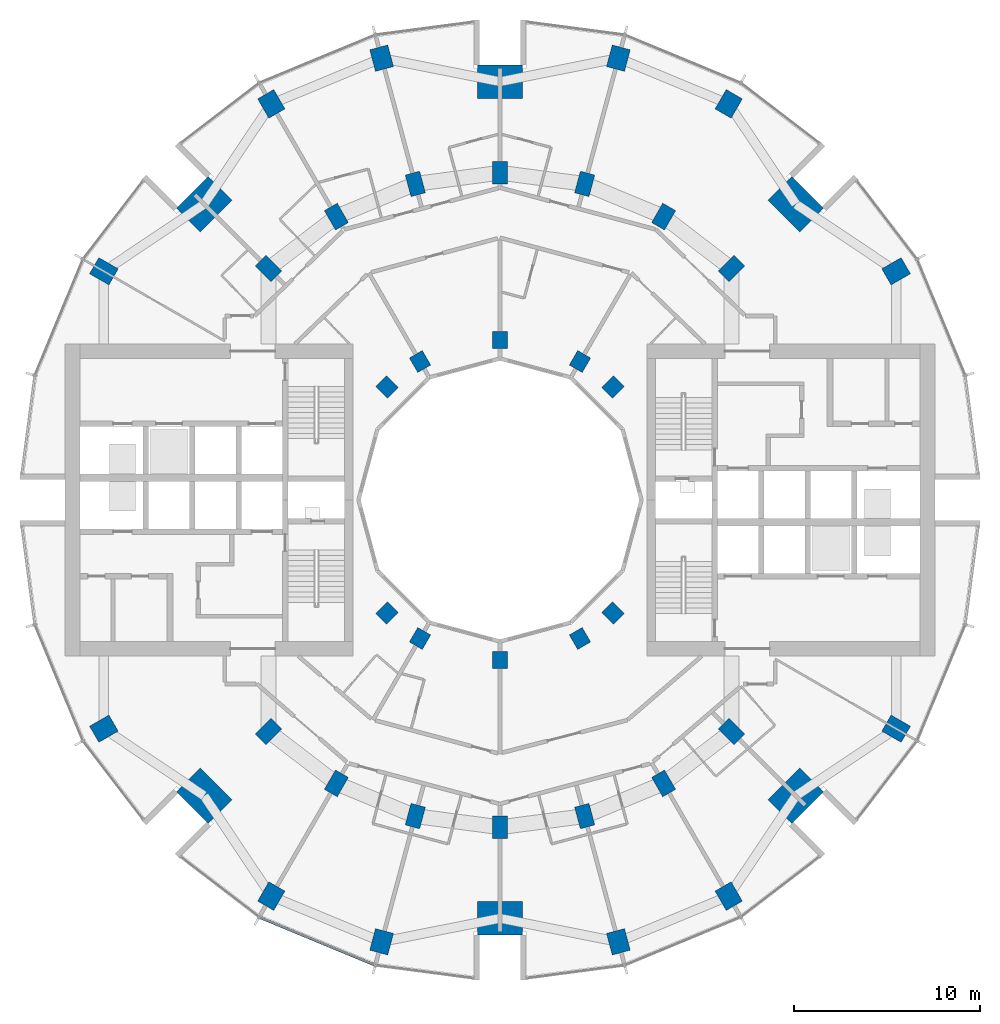
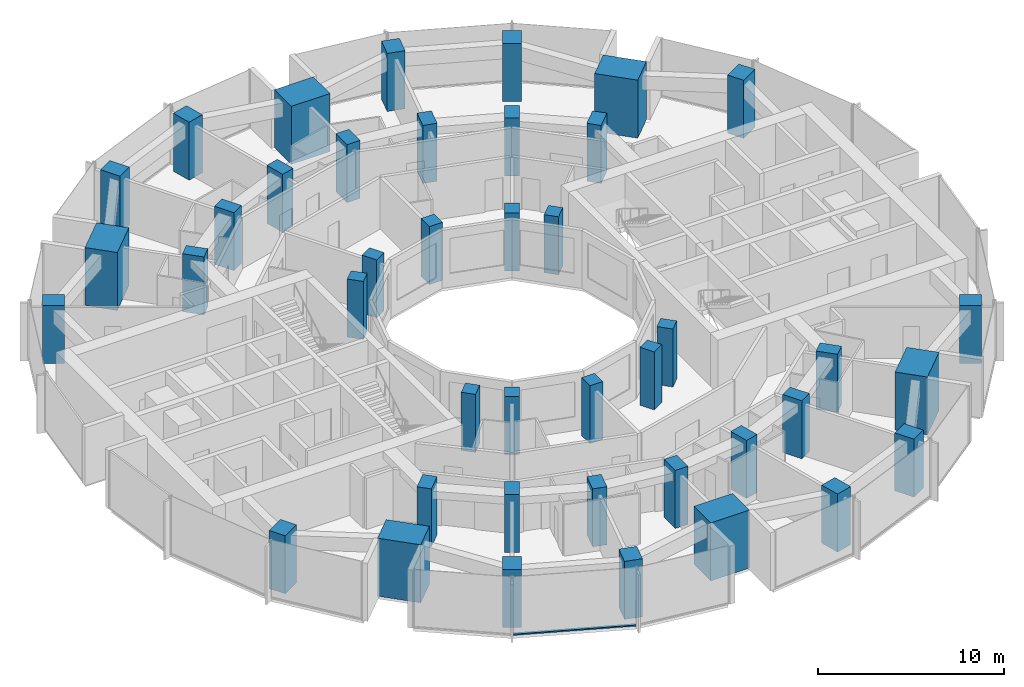
# One storey, part 1 of 15: 42 columns, 1 member, 1 element without a shape of its own.
"""IFC4 building model written with IfcOpenShell, lengths in metres."""

from ifc_helpers import new_model, si_unit, direction, frame, origin, origin_2d, place, context, subcontext, project, spatial, rectangle, extrude, material, layer, layer_set, material_profile, profile_set, type_object, element, aggregate, save


model = new_model("IFC4")

# Units and contexts
model_context = context("Model", 3, precision=1e-05, world=origin(), true_north=direction((0.0, 1.0)))
body_context = subcontext(model_context, "Body", "Model", "MODEL_VIEW")
ifc_project = project(units=[si_unit("LENGTHUNIT", "METRE"), si_unit("AREAUNIT", "SQUARE_METRE"), si_unit("VOLUMEUNIT", "CUBIC_METRE"), si_unit("PLANEANGLEUNIT", "RADIAN"), si_unit("MASSUNIT", "GRAM", prefix="KILO")], contexts=[model_context])

# Site, building, storey
site_placement = place(None, origin())
site = spatial("IfcSite", under=ifc_project, at=site_placement, CompositionType="ELEMENT")
building_placement = place(site_placement, origin())
building = spatial("IfcBuilding", under=site, at=building_placement, Name="Torre Brocal", CompositionType="ELEMENT")
storey_placement = place(building_placement, frame((0.0, 0.0, 63.0)))
storey = spatial("IfcBuildingStorey", under=building, at=storey_placement, Name="L14", CompositionType="ELEMENT", Elevation=63.0)

# Columns
ifc_material_1 = material(Name="Concrete C80", Category="concrete")
ifc_material_profile_1 = material_profile(ifc_material_1, rectangle(XDim=1.199951171875, YDim=1.0, at=origin_2d()), Name="RC 1200X1000")
ifc_profile_set_1 = profile_set([ifc_material_profile_1], Name="Concrete C80")
column_type_1 = type_object("IfcColumnType", Name="RC COLUMN 1200X1000 C80", PredefinedType="COLUMN", material=ifc_profile_set_1)
for number, where, z_axis, x_axis, name in (
    (1, (101.30419921875, 87.300048828125, 0.0), (0.0, 0.0, 1.0), (0.866025403784, 0.5, 0.0), "Column C-O02"),
    (2, (92.300048828125, 96.30419921875, 0.0), (0.0, 0.0, 1.0), (0.5, 0.866025403784, 0.0), "Column C-O04"),
    (3, (86.366943359375, 98.76171875, 0.0), (0.0, 0.0, 1.0), (0.258819045103, 0.965925826289, 0.0), "Column C-O05"),
    (4, (73.633056640625, 98.76171875, 0.0), (0.0, 0.0, 1.0), (-0.258819045103, 0.965925826289, 0.0), "Column C-O07"),
    (5, (67.699951171875, 96.30419921875, 0.0), (0.0, 0.0, 1.0), (-0.5, 0.866025403784, 0.0), "Column C-O08"),
    (6, (58.69580078125, 87.300048828125, 0.0), (0.0, 0.0, 1.0), (-0.866025403784, 0.5, 0.0), "Column C-O10"),
    (7, (58.69580078125, 62.699951171875, 0.0), (0.0, 0.0, 1.0), (-0.866025403784, -0.5, 0.0), "Column C-O14"),
    (8, (67.699951171875, 53.69580078125, 0.0), (0.0, 0.0, 1.0), (-0.5, -0.866025403784, 0.0), "Column C-O16"),
    (9, (73.633056640625, 51.23828125, 0.0), (0.0, 0.0, 1.0), (-0.258819045103, -0.965925826289, 0.0), "Column C-O17"),
    (10, (86.366943359375, 51.23828125, 0.0), (0.0, 0.0, 1.0), (0.258819045103, -0.965925826289, 0.0), "Column C-O19"),
    (11, (92.300048828125, 53.69580078125, 0.0), (0.0, 0.0, 1.0), (0.5, -0.866025403784, 0.0), "Column C-O20"),
    (12, (101.30419921875, 62.699951171875, 0.0), (0.0, 0.0, 1.0), (0.866025403784, -0.5, 0.0), "Column C-O22"),
):
    element("IfcColumn", number, at=place(storey_placement, frame(where, z_axis=z_axis, x_axis=x_axis)), inside=storey, type_object=column_type_1, Name=name, PredefinedType="COLUMN", context=body_context, shape_type="SweptSolid", body=[
        extrude(rectangle(XDim=1.199951171875, YDim=1.0, at=origin_2d()), origin(), (0.0, 0.0, 1.0), 3.800048828125),
    ])
ifc_material_2 = material(Name="Concrete C80", Category="concrete")
ifc_material_profile_2 = material_profile(ifc_material_2, rectangle(XDim=1.199951171875, YDim=0.800048828125, at=origin_2d()), Name="RC 1200X800")
ifc_profile_set_2 = profile_set([ifc_material_profile_2], Name="Concrete C80")
column_type_2 = type_object("IfcColumnType", Name="RC COLUMN 1200X800 C80", PredefinedType="COLUMN", material=ifc_profile_set_2)
for number, where, z_axis, x_axis, name in (
    (13, (92.445068359375, 87.445068359375, 0.0), (0.0, 0.0, 1.0), (0.707106781187, 0.707106781187, 0.0), "Column C-M03"),
    (14, (88.800048828125, 90.241943359375, 0.0), (0.0, 0.0, 1.0), (0.5, 0.866025403784, 0.0), "Column C-M04"),
    (15, (84.55517578125, 92.000244140625, 0.0), (0.0, 0.0, 1.0), (0.258819045103, 0.965925826289, 0.0), "Column C-M05"),
    (16, (80.0, 92.60009765625, 0.0), (0.0, 0.0, 1.0), (0.0, 1.0, 0.0), "Column C-M06"),
    (17, (75.44482421875, 92.000244140625, 0.0), (0.0, 0.0, 1.0), (-0.258819045103, 0.965925826289, 0.0), "Column C-M07"),
    (18, (71.199951171875, 90.241943359375, 0.0), (0.0, 0.0, 1.0), (-0.5, 0.866025403784, 0.0), "Column C-M08"),
    (19, (67.554931640625, 87.445068359375, 0.0), (0.0, 0.0, 1.0), (-0.707106781187, 0.707106781187, 0.0), "Column C-M09"),
    (20, (67.554931640625, 62.554931640625, 0.0), (0.0, 0.0, 1.0), (-0.707106781187, -0.707106781187, 0.0), "Column C-M15"),
    (21, (71.199951171875, 59.758056640625, 0.0), (0.0, 0.0, 1.0), (-0.5, -0.866025403784, 0.0), "Column C-M16"),
    (22, (75.44482421875, 57.999755859375, 0.0), (0.0, 0.0, 1.0), (-0.258819045103, -0.965925826289, 0.0), "Column C-M17"),
    (23, (80.0, 57.39990234375, 0.0), (0.0, 0.0, 1.0), (0.0, -1.0, 0.0), "Column C-M18"),
    (24, (84.55517578125, 57.999755859375, 0.0), (0.0, 0.0, 1.0), (0.258819045103, -0.965925826289, 0.0), "Column C-M19"),
    (25, (88.800048828125, 59.758056640625, 0.0), (0.0, 0.0, 1.0), (0.5, -0.866025403784, 0.0), "Column C-M20"),
    (26, (92.445068359375, 62.554931640625, 0.0), (0.0, 0.0, 1.0), (0.707106781187, -0.707106781187, 0.0), "Column C-M21"),
):
    element("IfcColumn", number, at=place(storey_placement, frame(where, z_axis=z_axis, x_axis=x_axis)), inside=storey, type_object=column_type_2, Name=name, PredefinedType="COLUMN", context=body_context, shape_type="SweptSolid", body=[
        extrude(rectangle(XDim=1.199951171875, YDim=0.800048828125, at=origin_2d()), origin(), (0.0, 0.0, 1.0), 3.800048828125),
    ])
ifc_material_3 = material(Name="Concrete C80", Category="concrete")
ifc_material_profile_3 = material_profile(ifc_material_3, rectangle(XDim=1.800048828125, YDim=2.39990234375, at=origin_2d()), Name="RC 1800X2400")
ifc_profile_set_3 = profile_set([ifc_material_profile_3], Name="Concrete C80")
column_type_3 = type_object("IfcColumnType", Name="RC COLUMN 1800X2400 C80", PredefinedType="COLUMN", material=ifc_profile_set_3)
for number, where, z_axis, x_axis, name in (
    (27, (95.909912109375, 90.909912109375, 0.0), (0.0, 0.0, 1.0), (0.707106781187, 0.707106781187, 0.0), "Column MC-1"),
    (28, (80.0, 97.5, 0.0), (0.0, 0.0, 1.0), (0.0, 1.0, 0.0), "Column MC-2"),
    (29, (64.090087890625, 90.909912109375, 0.0), (0.0, 0.0, 1.0), (-0.707106781187, 0.707106781187, 0.0), "Column MC-3"),
    (30, (64.090087890625, 59.090087890625, 0.0), (0.0, 0.0, 1.0), (-0.707106781187, -0.707106781187, 0.0), "Column MC-5"),
    (31, (80.0, 52.5, 0.0), (0.0, 0.0, 1.0), (0.0, -1.0, 0.0), "Column MC-6"),
    (32, (95.909912109375, 59.090087890625, 0.0), (0.0, 0.0, 1.0), (0.707106781187, -0.707106781187, 0.0), "Column MC-7"),
):
    element("IfcColumn", number, at=place(storey_placement, frame(where, z_axis=z_axis, x_axis=x_axis)), inside=storey, type_object=column_type_3, Name=name, PredefinedType="COLUMN", context=body_context, shape_type="SweptSolid", body=[
        extrude(rectangle(XDim=1.800048828125, YDim=2.39990234375, at=origin_2d()), origin(), (0.0, 0.0, 1.0), 3.800048828125),
    ])
ifc_material_4 = material(Name="Concrete C80", Category="concrete")
ifc_material_profile_4 = material_profile(ifc_material_4, rectangle(XDim=0.89990234375, YDim=0.800048828125, at=origin_2d()), Name="RC 900X800")
ifc_profile_set_4 = profile_set([ifc_material_profile_4], Name="Concrete C80")
column_type_4 = type_object("IfcColumnType", Name="RC COLUMN 900X800 C80", PredefinedType="COLUMN", material=ifc_profile_set_4)
for number, where, z_axis, x_axis, name in (
    (33, (86.0810546875, 81.0810546875, 0.0), (0.0, 0.0, 1.0), (0.707106781187, 0.707106781187, 0.0), "Column C-I03"),
    (34, (84.300048828125, 82.44775390625, 0.0), (0.0, 0.0, 1.0), (0.5, 0.866025403784, 0.0), "Column C-I04"),
    (35, (80.0, 83.60009765625, 0.0), (0.0, 0.0, 1.0), (0.0, 1.0, 0.0), "Column C-I06"),
    (36, (75.699951171875, 82.44775390625, 0.0), (0.0, 0.0, 1.0), (-0.5, 0.866025403784, 0.0), "Column C-I08"),
    (37, (73.9189453125, 81.0810546875, 0.0), (0.0, 0.0, 1.0), (-0.707106781187, 0.707106781187, 0.0), "Column C-I09"),
    (38, (73.9189453125, 68.9189453125, 0.0), (0.0, 0.0, 1.0), (-0.707106781187, -0.707106781187, 0.0), "Column C-I15"),
    (39, (75.699951171875, 67.55224609375, 0.0), (0.0, 0.0, 1.0), (-0.5, -0.866025403784, 0.0), "Column C-I16"),
    (40, (80.0, 66.39990234375, 0.0), (0.0, 0.0, 1.0), (0.0, -1.0, 0.0), "Column C-I18"),
    (41, (84.300048828125, 67.55224609375, 0.0), (0.0, 0.0, 1.0), (0.5, -0.866025403784, 0.0), "Column C-I20"),
    (42, (86.0810546875, 68.9189453125, 0.0), (0.0, 0.0, 1.0), (0.707106781187, -0.707106781187, 0.0), "Column C-I21"),
):
    element("IfcColumn", number, at=place(storey_placement, frame(where, z_axis=z_axis, x_axis=x_axis)), inside=storey, type_object=column_type_4, Name=name, PredefinedType="COLUMN", context=body_context, shape_type="SweptSolid", body=[
        extrude(rectangle(XDim=0.89990234375, YDim=0.800048828125, at=origin_2d()), origin(), (0.0, 0.0, 1.0), 3.800048828125),
    ])

# Curtain wall, member
ifc_material_5 = material(Name="Aluminium and glass", Category="aluminium")
ifc_layer = layer(ifc_material_5, 0.199951171875)
ifc_layer_set = layer_set([ifc_layer], Name="Aluminium and glass")
curtain_wall_type = type_object("IfcCurtainWallType", Name="CW-1 CURTAIN WALL 3800 HIGH", PredefinedType="NOTDEFINED", material=ifc_layer_set)
curtain_wall_placement = place(storey_placement, origin())
curtain_wall = element("IfcCurtainWall", 43, at=curtain_wall_placement, inside=storey, type_object=curtain_wall_type, Name="CW-1 RUN 17", PredefinedType="NOTDEFINED")
ifc_material_6 = material(Name="Aluminium, dark anodised", Category="aluminium")
ifc_material_profile_5 = material_profile(ifc_material_6, rectangle(XDim=0.159912109375, YDim=0.080078125, at=origin_2d()), Name="CW-1 TRANSOM 160X80")
ifc_profile_set_5 = profile_set([ifc_material_profile_5], Name="Aluminium, dark anodised")
member_type = type_object("IfcMemberType", Name="CW-1 TRANSOM 160X80", PredefinedType="USERDEFINED", material=ifc_profile_set_5)
member_placement = place(storey_placement, frame((67.10595703125, 52.547607421875, 0.0400390625), z_axis=(0.923887344364, -0.38266457234, 0.0), x_axis=(0.38266457234, 0.923887344364, 0.0)))
member = element("IfcMember", 44, at=member_placement, type_object=member_type, Name="CW1-1 transom 1.1", ObjectType="TRANSOM", PredefinedType="USERDEFINED", context=body_context, shape_type="SweptSolid", body=[
    extrude(rectangle(XDim=0.159912109375, YDim=0.080078125, at=origin_2d()), origin(), (0.0, 0.0, 1.0), 6.640869140625),
])
aggregate(curtain_wall, [member])

save(model, "model.ifc")
